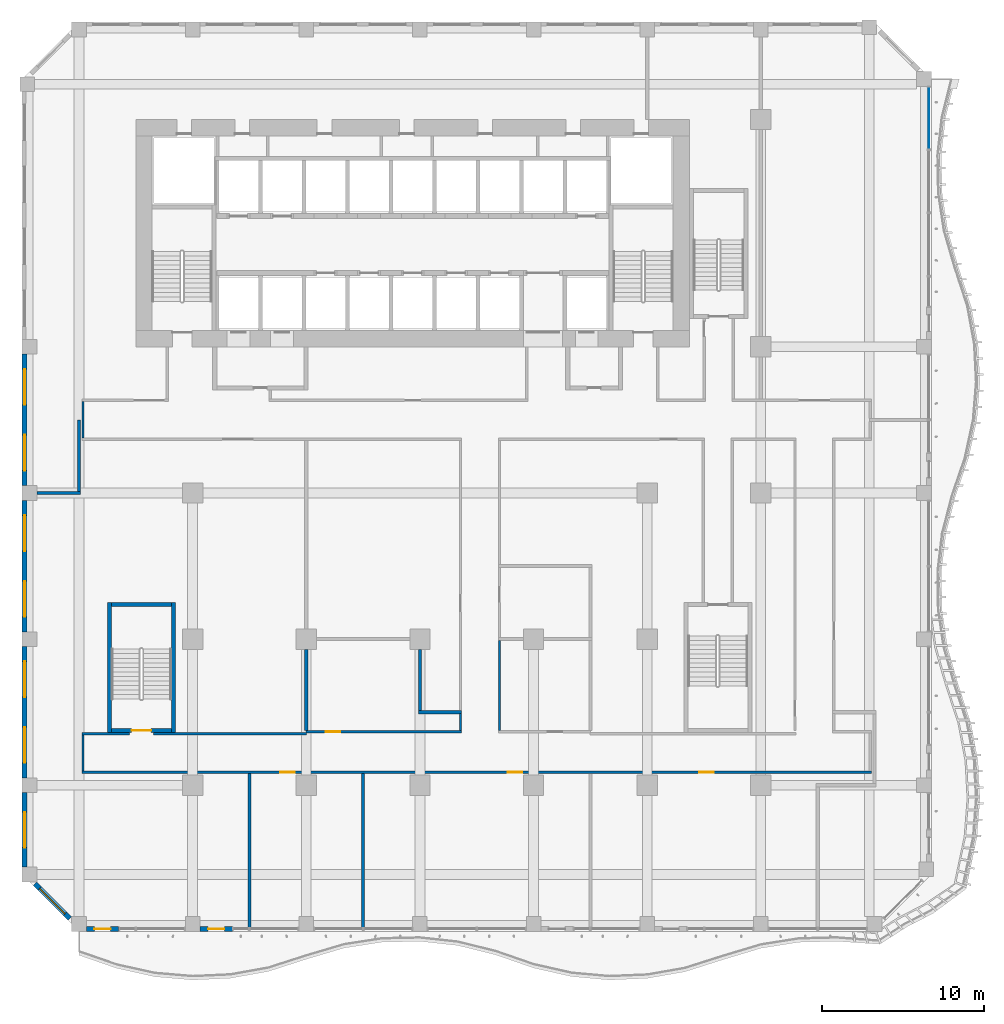
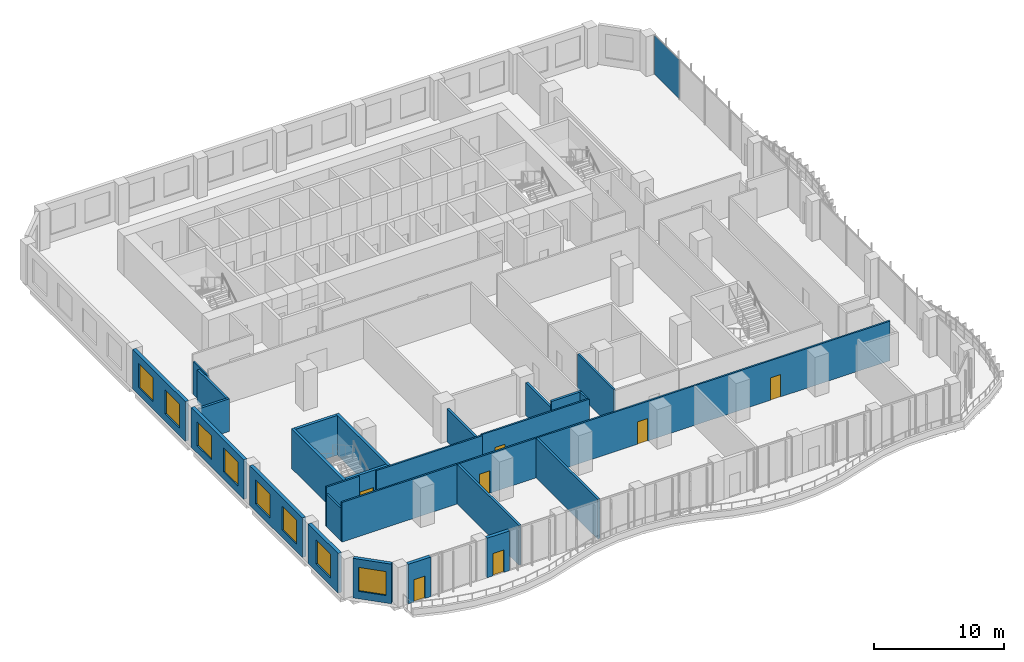
# One storey, part 13 of 28: 26 walls, 8 windows, 7 doors, 1 plate, 15 openings, 1 element without a shape of its own.
"""IFC4 building model written with IfcOpenShell, lengths in metres."""

from ifc_helpers import new_model, si_unit, direction, frame, frame_2d, origin, origin_2d, place, context, subcontext, project, spatial, rectangle, extrude, source, transform, mapped, material, layer, layer_set, type_object, element, fill, aggregate, save


model = new_model("IFC4")

# Units and contexts
model_context = context("Model", 3, precision=1e-05, world=origin(), true_north=direction((0.0, 1.0)))
body_context = subcontext(model_context, "Body", "Model", "MODEL_VIEW")
ifc_project = project(units=[si_unit("LENGTHUNIT", "METRE"), si_unit("AREAUNIT", "SQUARE_METRE"), si_unit("VOLUMEUNIT", "CUBIC_METRE"), si_unit("PLANEANGLEUNIT", "RADIAN"), si_unit("MASSUNIT", "GRAM", prefix="KILO")], contexts=[model_context])

# Site, building, storey
site_placement = place(None, origin())
site = spatial("IfcSite", under=ifc_project, at=site_placement, CompositionType="ELEMENT")
building_placement = place(site_placement, origin())
building = spatial("IfcBuilding", under=site, at=building_placement, Name="Kilnfold Tower and Market Hall", CompositionType="ELEMENT")
storey_placement = place(building_placement, frame((0.0, 0.0, 75.199951171875)))
storey = spatial("IfcBuildingStorey", under=building, at=storey_placement, Name="L17", CompositionType="ELEMENT", Elevation=75.199951171875)

# Curtain wall, plate
ifc_material_1 = material(Name="Aluminium and double glazing", Category="aluminium")
curtain_wall_type = type_object("IfcCurtainWallType", Name="CW OF1 VALLEY GLAZING", PredefinedType="NOTDEFINED", material=ifc_material_1)
curtain_wall_placement = place(storey_placement, origin())
curtain_wall = element("IfcCurtainWall", 1, at=curtain_wall_placement, inside=storey, type_object=curtain_wall_type, Name="Curtain wall CW1 L17 E", PredefinedType="NOTDEFINED")
ifc_material_2 = material(Name="Double glazed unit")
ifc_layer_1 = layer(ifc_material_2, 0.031982421875)
ifc_layer_set_1 = layer_set([ifc_layer_1], Name="Double glazed unit")
plate_type = type_object("IfcPlateType", Name="GLAZING PANEL 32", PredefinedType="CURTAIN_PANEL", material=ifc_layer_set_1)
shared_shape_1 = source(origin(), body_context, "Body", "SweptSolid", [
    extrude(rectangle(XDim=3.780029296875, YDim=0.031982421875, at=origin_2d()), origin(), (0.0, 0.0, 1.0), 3.659912109375),
])
plate_placement = place(storey_placement, frame((32.85009765625, 22.10009765625, 0.0), z_axis=(0.0, 0.0, 1.0), x_axis=(0.0, 1.0, 0.0)))
plate = element("IfcPlate", 2, at=plate_placement, type_object=plate_type, Name="CW1 panel 1.1", PredefinedType="CURTAIN_PANEL", context=body_context, shape_type="MappedRepresentation", body=[
    mapped(shared_shape_1, transform((0.0, 0.0, 0.0))),
])
aggregate(curtain_wall, [plate])

# Wall, openings, doors
ifc_material_3 = material(Name="Gypsum board on steel studs", Category="steel")
ifc_layer_2 = layer(ifc_material_3, 0.14990234375)
ifc_layer_set_2 = layer_set([ifc_layer_2], Name="Gypsum board on steel studs")
wall_type_1 = type_object("IfcWallType", Name="WALL CORRIDOR 150", PredefinedType="PARTITIONING", material=ifc_layer_set_2)
wall_1_placement = place(storey_placement, frame((-19.324951171875, -18.199951171875, 0.0), z_axis=(0.0, 0.0, 1.0), x_axis=(1.0, 0.0, 0.0)))
wall_1 = element("IfcWall", 3, at=wall_1_placement, inside=storey, type_object=wall_type_1, Name="Partition LY13.1", PredefinedType="PARTITIONING", context=body_context, shape_type="SweptSolid", body=[
    extrude(rectangle(XDim=48.64990234375, YDim=0.14990234375, at=frame_2d((24.324951171875, 0.0))), origin(), (0.0, 0.0, 1.0), 3.719970703125),
])
opening_1_placement = place(wall_1_placement, frame((12.220947265625, 0.0, 0.0)))
opening_1 = element("IfcOpeningElement", 4, at=opening_1_placement, cuts=wall_1, Name="Opening D3", PredefinedType="OPENING", context=body_context, shape_type="SweptSolid", body=[
    extrude(rectangle(XDim=0.89990234375, YDim=2.10009765625, at=frame_2d((0.449951171875, 1.050048828125))), frame((0.0, 0.0849609375, 0.0), z_axis=(0.0, -1.0, 0.0), x_axis=(1.0, 0.0, 0.0)), (0.0, 0.0, 1.0), 0.169921875),
])
opening_2_placement = place(wall_1_placement, frame((26.22900390625, 0.0, 0.0)))
opening_2 = element("IfcOpeningElement", 5, at=opening_2_placement, cuts=wall_1, Name="Opening D2", PredefinedType="OPENING", context=body_context, shape_type="SweptSolid", body=[
    extrude(rectangle(XDim=0.89990234375, YDim=2.10009765625, at=frame_2d((0.449951171875, 1.050048828125))), frame((0.0, 0.0849609375, 0.0), z_axis=(0.0, -1.0, 0.0), x_axis=(1.0, 0.0, 0.0)), (0.0, 0.0, 1.0), 0.169921875),
])
opening_3_placement = place(wall_1_placement, frame((38.029052734375, 0.0, 0.0)))
opening_3 = element("IfcOpeningElement", 6, at=opening_3_placement, cuts=wall_1, Name="Opening D2", PredefinedType="OPENING", context=body_context, shape_type="SweptSolid", body=[
    extrude(rectangle(XDim=0.89990234375, YDim=2.10009765625, at=frame_2d((0.449951171875, 1.050048828125))), frame((0.0, 0.0849609375, 0.0), z_axis=(0.0, -1.0, 0.0), x_axis=(1.0, 0.0, 0.0)), (0.0, 0.0, 1.0), 0.169921875),
])
ifc_material_4 = material(Name="Timber veneer door leaf in steel frame", Category="steel")
door_type_1 = type_object("IfcDoorType", Name="DOOR ROOM 900 X2100", OperationType="NOTDEFINED", PredefinedType="DOOR", material=ifc_material_4)
door_1_placement = place(opening_2_placement, origin())
door_1 = element("IfcDoor", 7, at=door_1_placement, inside=storey, type_object=door_type_1, Name="Door D2", OperationType="SINGLE_SWING_RIGHT", OverallHeight=2.10009765625, OverallWidth=0.89990234375, PredefinedType="DOOR", context=body_context, shape_type="SweptSolid", body=[
    extrude(rectangle(XDim=0.89990234375, YDim=2.10009765625, at=frame_2d((0.449951171875, 1.050048828125))), frame((0.0, 0.02490234375, 0.0), z_axis=(0.0, -1.0, 0.0), x_axis=(1.0, 0.0, 0.0)), (0.0, 0.0, 1.0), 0.050048828125),
])
fill(opening_2, door_1)
door_2_placement = place(opening_3_placement, origin())
door_2 = element("IfcDoor", 8, at=door_2_placement, inside=storey, type_object=door_type_1, Name="Door D2", OperationType="SINGLE_SWING_RIGHT", OverallHeight=2.10009765625, OverallWidth=0.89990234375, PredefinedType="DOOR", context=body_context, shape_type="SweptSolid", body=[
    extrude(rectangle(XDim=0.89990234375, YDim=2.10009765625, at=frame_2d((0.449951171875, 1.050048828125))), frame((0.0, 0.02490234375, 0.0), z_axis=(0.0, -1.0, 0.0), x_axis=(1.0, 0.0, 0.0)), (0.0, 0.0, 1.0), 0.050048828125),
])
fill(opening_3, door_2)
ifc_material_5 = material(Name="Timber veneer door leaf in steel frame", Category="steel")
door_type_2 = type_object("IfcDoorType", Name="DOOR WC 900 X2100", OperationType="NOTDEFINED", PredefinedType="DOOR", material=ifc_material_5)
door_3_placement = place(opening_1_placement, origin())
door_3 = element("IfcDoor", 9, at=door_3_placement, inside=storey, type_object=door_type_2, Name="Door D3", OperationType="SINGLE_SWING_RIGHT", OverallHeight=2.10009765625, OverallWidth=0.89990234375, PredefinedType="DOOR", context=body_context, shape_type="SweptSolid", body=[
    extrude(rectangle(XDim=0.89990234375, YDim=2.10009765625, at=frame_2d((0.449951171875, 1.050048828125))), frame((0.0, 0.02490234375, 0.0), z_axis=(0.0, -1.0, 0.0), x_axis=(1.0, 0.0, 0.0)), (0.0, 0.0, 1.0), 0.050048828125),
])
fill(opening_1, door_3)

# Walls
wall_2_placement = place(storey_placement, frame((-19.25, -18.125, 0.0), z_axis=(0.0, 0.0, 1.0), x_axis=(0.0, 1.0, 0.0)))
element("IfcWall", 10, at=wall_2_placement, inside=storey, type_object=wall_type_1, Name="Partition LY13.2", PredefinedType="PARTITIONING", context=body_context, shape_type="SweptSolid", body=[
    extrude(rectangle(XDim=2.22509765625, YDim=0.14990234375, at=frame_2d((1.112548828125, 0.0))), origin(), (0.0, 0.0, 1.0), 3.070068359375),
])
wall_3_placement = place(storey_placement, frame((-14.89990234375, -15.824951171875, 0.0), z_axis=(0.0, 0.0, 1.0), x_axis=(1.0, 0.0, 0.0)))
element("IfcWall", 11, at=wall_3_placement, inside=storey, type_object=wall_type_1, Name="Partition LY13.3", PredefinedType="PARTITIONING", context=body_context, shape_type="SweptSolid", body=[
    extrude(rectangle(XDim=9.409912109375, YDim=0.14990234375, at=frame_2d((4.705078125, 0.0))), origin(), (0.0, 0.0, 1.0), 3.719970703125),
])
wall_4_placement = place(storey_placement, frame((-19.324951171875, -15.824951171875, 0.0), z_axis=(0.0, 0.0, 1.0), x_axis=(1.0, 0.0, 0.0)))
element("IfcWall", 12, at=wall_4_placement, inside=storey, type_object=wall_type_1, Name="Partition LY13.4", PredefinedType="PARTITIONING", context=body_context, shape_type="SweptSolid", body=[
    extrude(rectangle(XDim=2.925048828125, YDim=0.14990234375, at=frame_2d((1.46240234375, 0.0))), origin(), (0.0, 0.0, 1.0), 3.719970703125),
])
wall_5_placement = place(storey_placement, frame((-19.25, 2.375, 0.0), z_axis=(0.0, 0.0, 1.0), x_axis=(0.0, 1.0, 0.0)))
element("IfcWall", 13, at=wall_5_placement, inside=storey, type_object=wall_type_1, Name="Partition LY13.6", PredefinedType="PARTITIONING", context=body_context, shape_type="SweptSolid", body=[
    extrude(rectangle(XDim=2.25, YDim=0.14990234375, at=frame_2d((1.125, 0.0))), origin(), (0.0, 0.0, 1.0), 3.070068359375),
])

# Wall, opening, door
wall_6_placement = place(storey_placement, frame((-5.510009765625, -15.699951171875, 0.0), z_axis=(0.0, 0.0, 1.0), x_axis=(1.0, 0.0, 0.0)))
wall_6 = element("IfcWall", 14, at=wall_6_placement, inside=storey, type_object=wall_type_1, Name="Partition LY13.12", PredefinedType="PARTITIONING", context=body_context, shape_type="SweptSolid", body=[
    extrude(rectangle(XDim=9.5849609375, YDim=0.14990234375, at=frame_2d((4.79248046875, 0.0))), origin(), (0.0, 0.0, 1.0), 3.719970703125),
])
opening_4_placement = place(wall_6_placement, frame((1.2099609375, 0.0, 0.0)))
opening_4 = element("IfcOpeningElement", 15, at=opening_4_placement, cuts=wall_6, Name="Opening D2", PredefinedType="OPENING", context=body_context, shape_type="SweptSolid", body=[
    extrude(rectangle(XDim=0.89990234375, YDim=2.10009765625, at=frame_2d((0.449951171875, 1.050048828125))), frame((0.0, 0.0849609375, 0.0), z_axis=(0.0, -1.0, 0.0), x_axis=(1.0, 0.0, 0.0)), (0.0, 0.0, 1.0), 0.169921875),
])
door_4_placement = place(opening_4_placement, origin())
door_4 = element("IfcDoor", 16, at=door_4_placement, inside=storey, type_object=door_type_1, Name="Door D2", OperationType="SINGLE_SWING_LEFT", OverallHeight=2.10009765625, OverallWidth=0.89990234375, PredefinedType="DOOR", context=body_context, shape_type="SweptSolid", body=[
    extrude(rectangle(XDim=0.89990234375, YDim=2.10009765625, at=frame_2d((0.449951171875, 1.050048828125))), frame((0.0, 0.02490234375, 0.0), z_axis=(0.0, -1.0, 0.0), x_axis=(1.0, 0.0, 0.0)), (0.0, 0.0, 1.0), 0.050048828125),
])
fill(opening_4, door_4)

# Walls
wall_7_placement = place(storey_placement, frame((4.0, -15.625, 0.0), z_axis=(0.0, 0.0, 1.0), x_axis=(0.0, 1.0, 0.0)))
element("IfcWall", 17, at=wall_7_placement, inside=storey, type_object=wall_type_1, Name="Partition LY13.13", PredefinedType="PARTITIONING", context=body_context, shape_type="SweptSolid", body=[
    extrude(rectangle(XDim=1.034912109375, YDim=0.14990234375, at=frame_2d((0.517578125, 0.0))), origin(), (0.0, 0.0, 1.0), 3.719970703125),
])
wall_8_placement = place(storey_placement, frame((6.39990234375, -15.625, 0.0), z_axis=(0.0, 0.0, 1.0), x_axis=(0.0, 1.0, 0.0)))
element("IfcWall", 18, at=wall_8_placement, inside=storey, type_object=wall_type_1, Name="Partition LY13.18", PredefinedType="PARTITIONING", context=body_context, shape_type="SweptSolid", body=[
    extrude(rectangle(XDim=5.534912109375, YDim=0.14990234375, at=frame_2d((2.767578125, 0.0))), origin(), (0.0, 0.0, 1.0), 3.719970703125),
])
ifc_material_6 = material(Name="Gypsum board on steel studs", Category="steel")
ifc_layer_3 = layer(ifc_material_6, 0.199951171875)
ifc_layer_set_3 = layer_set([ifc_layer_3], Name="Gypsum board on steel studs")
wall_type_2 = type_object("IfcWallType", Name="WALL PARTY 200", PredefinedType="PARTITIONING", material=ifc_layer_set_3)
wall_9_placement = place(storey_placement, frame((-19.39990234375, -1.0, 0.0), z_axis=(0.0, 0.0, 1.0), x_axis=(-1.0, 0.0, 0.0)))
element("IfcWall", 19, at=wall_9_placement, inside=storey, type_object=wall_type_2, Name="Partition LY13.37", PredefinedType="PARTITIONING", context=body_context, shape_type="SweptSolid", body=[
    extrude(rectangle(XDim=2.7001953125, YDim=0.199951171875, at=frame_2d((1.35009765625, 0.0))), origin(), (0.0, 0.0, 1.0), 3.070068359375),
])
wall_10_placement = place(storey_placement, frame((-19.5, 3.5, 0.0), z_axis=(0.0, 0.0, 1.0), x_axis=(0.0, -1.0, 0.0)))
element("IfcWall", 20, at=wall_10_placement, inside=storey, type_object=wall_type_2, Name="Partition LY13.38", PredefinedType="PARTITIONING", context=body_context, shape_type="SweptSolid", body=[
    extrude(rectangle(XDim=4.39990234375, YDim=0.199951171875, at=frame_2d((2.199951171875, 0.0))), origin(), (0.0, 0.0, 1.0), 3.070068359375),
])
wall_11_placement = place(storey_placement, frame((-9.0, -27.75, 0.0), z_axis=(0.0, 0.0, 1.0), x_axis=(0.0, 1.0, 0.0)))
element("IfcWall", 21, at=wall_11_placement, inside=storey, type_object=wall_type_2, Name="Partition LY13.39", PredefinedType="PARTITIONING", context=body_context, shape_type="SweptSolid", body=[
    extrude(rectangle(XDim=9.47412109375, YDim=0.199951171875, at=frame_2d((4.737060546875, 0.0))), origin(), (0.0, 0.0, 1.0), 3.719970703125),
])
wall_12_placement = place(storey_placement, frame((-5.5, -15.6240234375, 0.0), z_axis=(0.0, 0.0, 1.0), x_axis=(0.0, 1.0, 0.0)))
element("IfcWall", 22, at=wall_12_placement, inside=storey, type_object=wall_type_2, Name="Partition LY13.40", PredefinedType="PARTITIONING", context=body_context, shape_type="SweptSolid", body=[
    extrude(rectangle(XDim=4.9990234375, YDim=0.199951171875, at=frame_2d((2.49951171875, 0.0))), origin(), (0.0, 0.0, 1.0), 3.070068359375),
])
wall_13_placement = place(storey_placement, frame((-2.0, -27.75, 0.0), z_axis=(0.0, 0.0, 1.0), x_axis=(0.0, 1.0, 0.0)))
element("IfcWall", 23, at=wall_13_placement, inside=storey, type_object=wall_type_2, Name="Partition LY13.43", PredefinedType="PARTITIONING", context=body_context, shape_type="SweptSolid", body=[
    extrude(rectangle(XDim=9.47412109375, YDim=0.199951171875, at=frame_2d((4.737060546875, 0.0))), origin(), (0.0, 0.0, 1.0), 3.719970703125),
])
wall_14_placement = place(storey_placement, frame((1.5, -14.39990234375, 0.0), z_axis=(0.0, 0.0, 1.0), x_axis=(0.0, 1.0, 0.0)))
element("IfcWall", 24, at=wall_14_placement, inside=storey, type_object=wall_type_2, Name="Partition LY13.45", PredefinedType="PARTITIONING", context=body_context, shape_type="SweptSolid", body=[
    extrude(rectangle(XDim=3.77490234375, YDim=0.199951171875, at=frame_2d((1.887451171875, 0.0))), origin(), (0.0, 0.0, 1.0), 3.070068359375),
])
wall_15_placement = place(storey_placement, frame((1.39990234375, -14.5, 0.0), z_axis=(0.0, 0.0, 1.0), x_axis=(1.0, 0.0, 0.0)))
element("IfcWall", 25, at=wall_15_placement, inside=storey, type_object=wall_type_2, Name="Partition LY13.46", PredefinedType="PARTITIONING", context=body_context, shape_type="SweptSolid", body=[
    extrude(rectangle(XDim=2.674072265625, YDim=0.199951171875, at=frame_2d((1.3369140625, 0.0))), origin(), (0.0, 0.0, 1.0), 3.719970703125),
])

# Wall, opening, door
ifc_material_7 = material(Name="Concrete C80", Category="concrete")
ifc_layer_4 = layer(ifc_material_7, 0.25)
ifc_layer_set_4 = layer_set([ifc_layer_4], Name="Concrete C80")
wall_type_3 = type_object("IfcWallType", Name="CORE WALL 250 C80", PredefinedType="SHEAR", material=ifc_layer_set_4)
shared_shape_2 = source(origin(), body_context, "Body", "SweptSolid", [
    extrude(rectangle(XDim=3.699951171875, YDim=0.25, at=frame_2d((1.85009765625, 0.0))), origin(), (0.0, 0.0, 1.0), 3.719970703125),
])
wall_16_placement = place(storey_placement, frame((-17.5, -15.625, 0.0), z_axis=(0.0, 0.0, 1.0), x_axis=(1.0, 0.0, 0.0)))
wall_16 = element("IfcWall", 26, at=wall_16_placement, inside=storey, type_object=wall_type_3, Name="Stair enclosure ST3", PredefinedType="SHEAR", context=body_context, shape_type="MappedRepresentation", body=[
    mapped(shared_shape_2, transform((0.0, 0.0, 0.0))),
])
opening_5_placement = place(wall_16_placement, frame((1.25, 0.0, 0.0)))
opening_5 = element("IfcOpeningElement", 27, at=opening_5_placement, cuts=wall_16, Name="Opening SD1", PredefinedType="OPENING", context=body_context, shape_type="SweptSolid", body=[
    extrude(rectangle(XDim=1.199951171875, YDim=2.10009765625, at=frame_2d((0.60009765625, 1.050048828125))), frame((0.0, 0.135009765625, 0.0), z_axis=(0.0, -1.0, 0.0), x_axis=(1.0, 0.0, 0.0)), (0.0, 0.0, 1.0), 0.27001953125),
])
ifc_material_8 = material(Name="Steel door set with fire-resisting leaf", Category="steel")
door_type_3 = type_object("IfcDoorType", Name="STAIR FLOOR DOOR 1200X2100", OperationType="NOTDEFINED", PredefinedType="DOOR", material=ifc_material_8)
door_5_placement = place(opening_5_placement, origin())
door_5 = element("IfcDoor", 28, at=door_5_placement, inside=storey, type_object=door_type_3, Name="Exit stair ST3 door", OperationType="DOUBLE_DOOR_SINGLE_SWING", OverallHeight=2.10009765625, OverallWidth=1.199951171875, PredefinedType="DOOR", context=body_context, shape_type="SweptSolid", body=[
    extrude(rectangle(XDim=1.199951171875, YDim=2.10009765625, at=frame_2d((0.60009765625, 1.050048828125))), frame((0.0, 0.02490234375, 0.0), z_axis=(0.0, -1.0, 0.0), x_axis=(1.0, 0.0, 0.0)), (0.0, 0.0, 1.0), 0.050048828125),
])
fill(opening_5, door_5)

# Walls
wall_17_placement = place(storey_placement, frame((-17.5, -7.875, 0.0), z_axis=(0.0, 0.0, 1.0), x_axis=(1.0, 0.0, 0.0)))
element("IfcWall", 29, at=wall_17_placement, inside=storey, type_object=wall_type_3, Name="Stair enclosure ST3", PredefinedType="SHEAR", context=body_context, shape_type="MappedRepresentation", body=[
    mapped(shared_shape_2, transform((0.0, 0.0, 0.0))),
])
shared_shape_3 = source(origin(), body_context, "Body", "SweptSolid", [
    extrude(rectangle(XDim=8.0, YDim=0.25, at=frame_2d((4.0, 0.0))), origin(), (0.0, 0.0, 1.0), 3.719970703125),
])
for number, where, z_axis, x_axis, name in (
    (30, (-17.625, -15.75, 0.0), (0.0, 0.0, 1.0), (0.0, 1.0, 0.0), "Stair enclosure ST3"),
    (31, (-13.675048828125, -15.75, 0.0), (0.0, 0.0, 1.0), (0.0, 1.0, 0.0), "Stair enclosure ST3"),
):
    element("IfcWall", number, at=place(storey_placement, frame(where, z_axis=z_axis, x_axis=x_axis)), inside=storey, type_object=wall_type_3, Name=name, PredefinedType="SHEAR", context=body_context, shape_type="MappedRepresentation", body=[
        mapped(shared_shape_3, transform((0.0, 0.0, 0.0))),
    ])

# Wall, opening, door
ifc_material_9 = material(Name="Precast concrete C50/60", Category="concrete")
ifc_layer_5 = layer(ifc_material_9, 0.300048828125)
ifc_layer_set_5 = layer_set([ifc_layer_5], Name="Precast concrete C50/60")
wall_type_4 = type_object("IfcWallType", Name="PRECAST WALL 300", PredefinedType="SOLIDWALL", material=ifc_layer_set_5)
shared_shape_4 = source(origin(), body_context, "Body", "SweptSolid", [
    extrude(rectangle(XDim=2.0, YDim=0.300048828125, at=frame_2d((1.0, 0.0))), origin(), (0.0, 0.0, 1.0), 3.719970703125),
])
wall_18_placement = place(storey_placement, frame((-19.050048828125, -27.85009765625, 0.0), z_axis=(0.0, 0.0, 1.0), x_axis=(1.0, 0.0, 0.0)))
wall_18 = element("IfcWall", 32, at=wall_18_placement, inside=storey, type_object=wall_type_4, Name="External wall L17 S", PredefinedType="SOLIDWALL", context=body_context, shape_type="MappedRepresentation", body=[
    mapped(shared_shape_4, transform((0.0, 0.0, 0.0))),
])
opening_6_placement = place(wall_18_placement, frame((0.5, 0.0, 0.0)))
opening_6 = element("IfcOpeningElement", 33, at=opening_6_placement, cuts=wall_18, Name="Opening BD1", PredefinedType="OPENING", context=body_context, shape_type="SweptSolid", body=[
    extrude(rectangle(XDim=1.0, YDim=2.10009765625, at=frame_2d((0.5, 1.050048828125))), frame((0.0, 0.16015625, 0.0), z_axis=(0.0, -1.0, 0.0), x_axis=(1.0, 0.0, 0.0)), (0.0, 0.0, 1.0), 0.320068359375),
])
ifc_material_10 = material(Name="Aluminium frame and double glazing", Category="aluminium")
door_type_4 = type_object("IfcDoorType", Name="BALCONY DOOR 1000X2100", OperationType="NOTDEFINED", PredefinedType="DOOR", material=ifc_material_10)
door_6_placement = place(opening_6_placement, origin())
door_6 = element("IfcDoor", 34, at=door_6_placement, inside=storey, type_object=door_type_4, Name="Balcony door BD1 L17 S-1", OperationType="SINGLE_SWING_LEFT", OverallHeight=2.10009765625, OverallWidth=1.0, PredefinedType="DOOR", context=body_context, shape_type="SweptSolid", body=[
    extrude(rectangle(XDim=1.0, YDim=2.10009765625, at=frame_2d((0.5, 1.050048828125))), frame((0.0, 0.02490234375, 0.0), z_axis=(0.0, -1.0, 0.0), x_axis=(1.0, 0.0, 0.0)), (0.0, 0.0, 1.0), 0.050048828125),
])
fill(opening_6, door_6)

wall_19_placement = place(storey_placement, frame((-12.050048828125, -27.85009765625, 0.0), z_axis=(0.0, 0.0, 1.0), x_axis=(1.0, 0.0, 0.0)))
wall_19 = element("IfcWall", 35, at=wall_19_placement, inside=storey, type_object=wall_type_4, Name="External wall L17 S", PredefinedType="SOLIDWALL", context=body_context, shape_type="MappedRepresentation", body=[
    mapped(shared_shape_4, transform((0.0, 0.0, 0.0))),
])
opening_7_placement = place(wall_19_placement, frame((0.5, 0.0, 0.0)))
opening_7 = element("IfcOpeningElement", 36, at=opening_7_placement, cuts=wall_19, Name="Opening BD1", PredefinedType="OPENING", context=body_context, shape_type="SweptSolid", body=[
    extrude(rectangle(XDim=1.0, YDim=2.10009765625, at=frame_2d((0.5, 1.050048828125))), frame((0.0, 0.16015625, 0.0), z_axis=(0.0, -1.0, 0.0), x_axis=(1.0, 0.0, 0.0)), (0.0, 0.0, 1.0), 0.320068359375),
])
door_7_placement = place(opening_7_placement, origin())
door_7 = element("IfcDoor", 37, at=door_7_placement, inside=storey, type_object=door_type_4, Name="Balcony door BD1 L17 S-1", OperationType="SINGLE_SWING_LEFT", OverallHeight=2.10009765625, OverallWidth=1.0, PredefinedType="DOOR", context=body_context, shape_type="SweptSolid", body=[
    extrude(rectangle(XDim=1.0, YDim=2.10009765625, at=frame_2d((0.5, 1.050048828125))), frame((0.0, 0.02490234375, 0.0), z_axis=(0.0, -1.0, 0.0), x_axis=(1.0, 0.0, 0.0)), (0.0, 0.0, 1.0), 0.050048828125),
])
fill(opening_7, door_7)

# Wall, openings, windows
shared_shape_5 = source(origin(), body_context, "Body", "SweptSolid", [
    extrude(rectangle(XDim=8.10009765625, YDim=0.300048828125, at=frame_2d((4.050048828125, 0.0))), origin(), (0.0, 0.0, 1.0), 3.719970703125),
])
wall_20_placement = place(storey_placement, frame((-22.85009765625, 7.550048828125, 0.0), z_axis=(0.0, 0.0, 1.0), x_axis=(0.0, -1.0, 0.0)))
wall_20 = element("IfcWall", 38, at=wall_20_placement, inside=storey, type_object=wall_type_4, Name="External wall L17 W", PredefinedType="SOLIDWALL", context=body_context, shape_type="MappedRepresentation", body=[
    mapped(shared_shape_5, transform((0.0, 0.0, 0.0))),
])
opening_8_placement = place(wall_20_placement, frame((0.925048828125, 0.0, 0.699951171875)))
opening_8 = element("IfcOpeningElement", 39, at=opening_8_placement, cuts=wall_20, Name="Opening W1", PredefinedType="OPENING", context=body_context, shape_type="SweptSolid", body=[
    extrude(rectangle(XDim=2.199951171875, YDim=2.25, at=frame_2d((1.10009765625, 1.125))), frame((0.0, 0.16015625, 0.0), z_axis=(0.0, -1.0, 0.0), x_axis=(1.0, 0.0, 0.0)), (0.0, 0.0, 1.0), 0.320068359375),
])
opening_9_placement = place(wall_20_placement, frame((4.97509765625, 0.0, 0.699951171875)))
opening_9 = element("IfcOpeningElement", 40, at=opening_9_placement, cuts=wall_20, Name="Opening W1", PredefinedType="OPENING", context=body_context, shape_type="SweptSolid", body=[
    extrude(rectangle(XDim=2.199951171875, YDim=2.25, at=frame_2d((1.10009765625, 1.125))), frame((0.0, 0.16015625, 0.0), z_axis=(0.0, -1.0, 0.0), x_axis=(1.0, 0.0, 0.0)), (0.0, 0.0, 1.0), 0.320068359375),
])
ifc_material_11 = material(Name="Aluminium frame and double glazing", Category="aluminium")
window_type = type_object("IfcWindowType", Name="WINDOW W1 2200X2250", PartitioningType="SINGLE_PANEL", PredefinedType="WINDOW", material=ifc_material_11)
window_1_placement = place(opening_8_placement, origin())
window_1 = element("IfcWindow", 41, at=window_1_placement, inside=storey, type_object=window_type, Name="Window W1 L17 W-1", OverallHeight=2.25, OverallWidth=2.199951171875, PartitioningType="SINGLE_PANEL", PredefinedType="WINDOW", context=body_context, shape_type="SweptSolid", body=[
    extrude(rectangle(XDim=2.199951171875, YDim=2.25, at=frame_2d((1.10009765625, 1.125))), frame((0.0, 0.030029296875, 0.0), z_axis=(0.0, -1.0, 0.0), x_axis=(1.0, 0.0, 0.0)), (0.0, 0.0, 1.0), 0.06005859375),
])
fill(opening_8, window_1)
window_2_placement = place(opening_9_placement, origin())
window_2 = element("IfcWindow", 42, at=window_2_placement, inside=storey, type_object=window_type, Name="Window W1 L17 W-2", OverallHeight=2.25, OverallWidth=2.199951171875, PartitioningType="SINGLE_PANEL", PredefinedType="WINDOW", context=body_context, shape_type="SweptSolid", body=[
    extrude(rectangle(XDim=2.199951171875, YDim=2.25, at=frame_2d((1.10009765625, 1.125))), frame((0.0, 0.030029296875, 0.0), z_axis=(0.0, -1.0, 0.0), x_axis=(1.0, 0.0, 0.0)), (0.0, 0.0, 1.0), 0.06005859375),
])
fill(opening_9, window_2)

wall_21_placement = place(storey_placement, frame((-22.85009765625, -1.449951171875, 0.0), z_axis=(0.0, 0.0, 1.0), x_axis=(0.0, -1.0, 0.0)))
wall_21 = element("IfcWall", 43, at=wall_21_placement, inside=storey, type_object=wall_type_4, Name="External wall L17 W", PredefinedType="SOLIDWALL", context=body_context, shape_type="MappedRepresentation", body=[
    mapped(shared_shape_5, transform((0.0, 0.0, 0.0))),
])
opening_10_placement = place(wall_21_placement, frame((0.925048828125, 0.0, 0.699951171875)))
opening_10 = element("IfcOpeningElement", 44, at=opening_10_placement, cuts=wall_21, Name="Opening W1", PredefinedType="OPENING", context=body_context, shape_type="SweptSolid", body=[
    extrude(rectangle(XDim=2.199951171875, YDim=2.25, at=frame_2d((1.10009765625, 1.125))), frame((0.0, 0.16015625, 0.0), z_axis=(0.0, -1.0, 0.0), x_axis=(1.0, 0.0, 0.0)), (0.0, 0.0, 1.0), 0.320068359375),
])
opening_11_placement = place(wall_21_placement, frame((4.97509765625, 0.0, 0.699951171875)))
opening_11 = element("IfcOpeningElement", 45, at=opening_11_placement, cuts=wall_21, Name="Opening W1", PredefinedType="OPENING", context=body_context, shape_type="SweptSolid", body=[
    extrude(rectangle(XDim=2.199951171875, YDim=2.25, at=frame_2d((1.10009765625, 1.125))), frame((0.0, 0.16015625, 0.0), z_axis=(0.0, -1.0, 0.0), x_axis=(1.0, 0.0, 0.0)), (0.0, 0.0, 1.0), 0.320068359375),
])
window_3_placement = place(opening_10_placement, origin())
window_3 = element("IfcWindow", 46, at=window_3_placement, inside=storey, type_object=window_type, Name="Window W1 L17 W-1", OverallHeight=2.25, OverallWidth=2.199951171875, PartitioningType="SINGLE_PANEL", PredefinedType="WINDOW", context=body_context, shape_type="SweptSolid", body=[
    extrude(rectangle(XDim=2.199951171875, YDim=2.25, at=frame_2d((1.10009765625, 1.125))), frame((0.0, 0.030029296875, 0.0), z_axis=(0.0, -1.0, 0.0), x_axis=(1.0, 0.0, 0.0)), (0.0, 0.0, 1.0), 0.06005859375),
])
fill(opening_10, window_3)
window_4_placement = place(opening_11_placement, origin())
window_4 = element("IfcWindow", 47, at=window_4_placement, inside=storey, type_object=window_type, Name="Window W1 L17 W-2", OverallHeight=2.25, OverallWidth=2.199951171875, PartitioningType="SINGLE_PANEL", PredefinedType="WINDOW", context=body_context, shape_type="SweptSolid", body=[
    extrude(rectangle(XDim=2.199951171875, YDim=2.25, at=frame_2d((1.10009765625, 1.125))), frame((0.0, 0.030029296875, 0.0), z_axis=(0.0, -1.0, 0.0), x_axis=(1.0, 0.0, 0.0)), (0.0, 0.0, 1.0), 0.06005859375),
])
fill(opening_11, window_4)

wall_22_placement = place(storey_placement, frame((-22.85009765625, -10.449951171875, 0.0), z_axis=(0.0, 0.0, 1.0), x_axis=(0.0, -1.0, 0.0)))
wall_22 = element("IfcWall", 48, at=wall_22_placement, inside=storey, type_object=wall_type_4, Name="External wall L17 W", PredefinedType="SOLIDWALL", context=body_context, shape_type="MappedRepresentation", body=[
    mapped(shared_shape_5, transform((0.0, 0.0, 0.0))),
])
opening_12_placement = place(wall_22_placement, frame((0.925048828125, 0.0, 0.699951171875)))
opening_12 = element("IfcOpeningElement", 49, at=opening_12_placement, cuts=wall_22, Name="Opening W1", PredefinedType="OPENING", context=body_context, shape_type="SweptSolid", body=[
    extrude(rectangle(XDim=2.199951171875, YDim=2.25, at=frame_2d((1.10009765625, 1.125))), frame((0.0, 0.16015625, 0.0), z_axis=(0.0, -1.0, 0.0), x_axis=(1.0, 0.0, 0.0)), (0.0, 0.0, 1.0), 0.320068359375),
])
opening_13_placement = place(wall_22_placement, frame((4.97509765625, 0.0, 0.699951171875)))
opening_13 = element("IfcOpeningElement", 50, at=opening_13_placement, cuts=wall_22, Name="Opening W1", PredefinedType="OPENING", context=body_context, shape_type="SweptSolid", body=[
    extrude(rectangle(XDim=2.199951171875, YDim=2.25, at=frame_2d((1.10009765625, 1.125))), frame((0.0, 0.16015625, 0.0), z_axis=(0.0, -1.0, 0.0), x_axis=(1.0, 0.0, 0.0)), (0.0, 0.0, 1.0), 0.320068359375),
])
window_5_placement = place(opening_12_placement, origin())
window_5 = element("IfcWindow", 51, at=window_5_placement, inside=storey, type_object=window_type, Name="Window W1 L17 W-1", OverallHeight=2.25, OverallWidth=2.199951171875, PartitioningType="SINGLE_PANEL", PredefinedType="WINDOW", context=body_context, shape_type="SweptSolid", body=[
    extrude(rectangle(XDim=2.199951171875, YDim=2.25, at=frame_2d((1.10009765625, 1.125))), frame((0.0, 0.030029296875, 0.0), z_axis=(0.0, -1.0, 0.0), x_axis=(1.0, 0.0, 0.0)), (0.0, 0.0, 1.0), 0.06005859375),
])
fill(opening_12, window_5)
window_6_placement = place(opening_13_placement, origin())
window_6 = element("IfcWindow", 52, at=window_6_placement, inside=storey, type_object=window_type, Name="Window W1 L17 W-2", OverallHeight=2.25, OverallWidth=2.199951171875, PartitioningType="SINGLE_PANEL", PredefinedType="WINDOW", context=body_context, shape_type="SweptSolid", body=[
    extrude(rectangle(XDim=2.199951171875, YDim=2.25, at=frame_2d((1.10009765625, 1.125))), frame((0.0, 0.030029296875, 0.0), z_axis=(0.0, -1.0, 0.0), x_axis=(1.0, 0.0, 0.0)), (0.0, 0.0, 1.0), 0.06005859375),
])
fill(opening_13, window_6)

# Wall, opening, window
shared_shape_6 = source(origin(), body_context, "Body", "SweptSolid", [
    extrude(rectangle(XDim=4.60009765625, YDim=0.300048828125, at=frame_2d((2.300048828125, 0.0))), origin(), (0.0, 0.0, 1.0), 3.719970703125),
])
wall_23_placement = place(storey_placement, frame((-22.85009765625, -19.449951171875, 0.0), z_axis=(0.0, 0.0, 1.0), x_axis=(0.0, -1.0, 0.0)))
wall_23 = element("IfcWall", 53, at=wall_23_placement, inside=storey, type_object=wall_type_4, Name="External wall L17 W", PredefinedType="SOLIDWALL", context=body_context, shape_type="MappedRepresentation", body=[
    mapped(shared_shape_6, transform((0.0, 0.0, 0.0))),
])
opening_14_placement = place(wall_23_placement, frame((1.199951171875, 0.0, 0.699951171875)))
opening_14 = element("IfcOpeningElement", 54, at=opening_14_placement, cuts=wall_23, Name="Opening W1", PredefinedType="OPENING", context=body_context, shape_type="SweptSolid", body=[
    extrude(rectangle(XDim=2.199951171875, YDim=2.25, at=frame_2d((1.10009765625, 1.125))), frame((0.0, 0.16015625, 0.0), z_axis=(0.0, -1.0, 0.0), x_axis=(1.0, 0.0, 0.0)), (0.0, 0.0, 1.0), 0.320068359375),
])
window_7_placement = place(opening_14_placement, origin())
window_7 = element("IfcWindow", 55, at=window_7_placement, inside=storey, type_object=window_type, Name="Window W1 L17 W-1", OverallHeight=2.25, OverallWidth=2.199951171875, PartitioningType="SINGLE_PANEL", PredefinedType="WINDOW", context=body_context, shape_type="SweptSolid", body=[
    extrude(rectangle(XDim=2.199951171875, YDim=2.25, at=frame_2d((1.10009765625, 1.125))), frame((0.0, 0.030029296875, 0.0), z_axis=(0.0, -1.0, 0.0), x_axis=(1.0, 0.0, 0.0)), (0.0, 0.0, 1.0), 0.06005859375),
])
fill(opening_14, window_7)

shared_shape_7 = source(origin(), body_context, "Body", "SweptSolid", [
    extrude(rectangle(XDim=3.040771484375, YDim=0.300048828125, at=frame_2d((1.5205078125, 0.0))), origin(), (0.0, 0.0, 1.0), 3.719970703125),
])
wall_24_placement = place(storey_placement, frame((-22.218994140625, -25.06884765625, 0.0), z_axis=(0.0, 0.0, 1.0), x_axis=(0.707106781187, -0.707106781187, 0.0)))
wall_24 = element("IfcWall", 56, at=wall_24_placement, inside=storey, type_object=wall_type_4, Name="External wall L17 SW", PredefinedType="SOLIDWALL", context=body_context, shape_type="MappedRepresentation", body=[
    mapped(shared_shape_7, transform((0.0, 0.0, 0.0))),
])
opening_15_placement = place(wall_24_placement, frame((0.42041015625, 0.0, 0.699951171875)))
opening_15 = element("IfcOpeningElement", 57, at=opening_15_placement, cuts=wall_24, Name="Opening W1", PredefinedType="OPENING", context=body_context, shape_type="SweptSolid", body=[
    extrude(rectangle(XDim=2.199951171875, YDim=2.25, at=frame_2d((1.10009765625, 1.125))), frame((0.0, 0.16015625, 0.0), z_axis=(0.0, -1.0, 0.0), x_axis=(1.0, 0.0, 0.0)), (0.0, 0.0, 1.0), 0.320068359375),
])
window_8_placement = place(opening_15_placement, origin())
window_8 = element("IfcWindow", 58, at=window_8_placement, inside=storey, type_object=window_type, Name="Window W1 L17 SW-1", OverallHeight=2.25, OverallWidth=2.199951171875, PartitioningType="SINGLE_PANEL", PredefinedType="WINDOW", context=body_context, shape_type="SweptSolid", body=[
    extrude(rectangle(XDim=2.199951171875, YDim=2.25, at=frame_2d((1.10009765625, 1.125))), frame((0.0, 0.030029296875, 0.0), z_axis=(0.0, -1.0, 0.0), x_axis=(1.0, 0.0, 0.0)), (0.0, 0.0, 1.0), 0.06005859375),
])
fill(opening_15, window_8)

save(model, "model.ifc")
